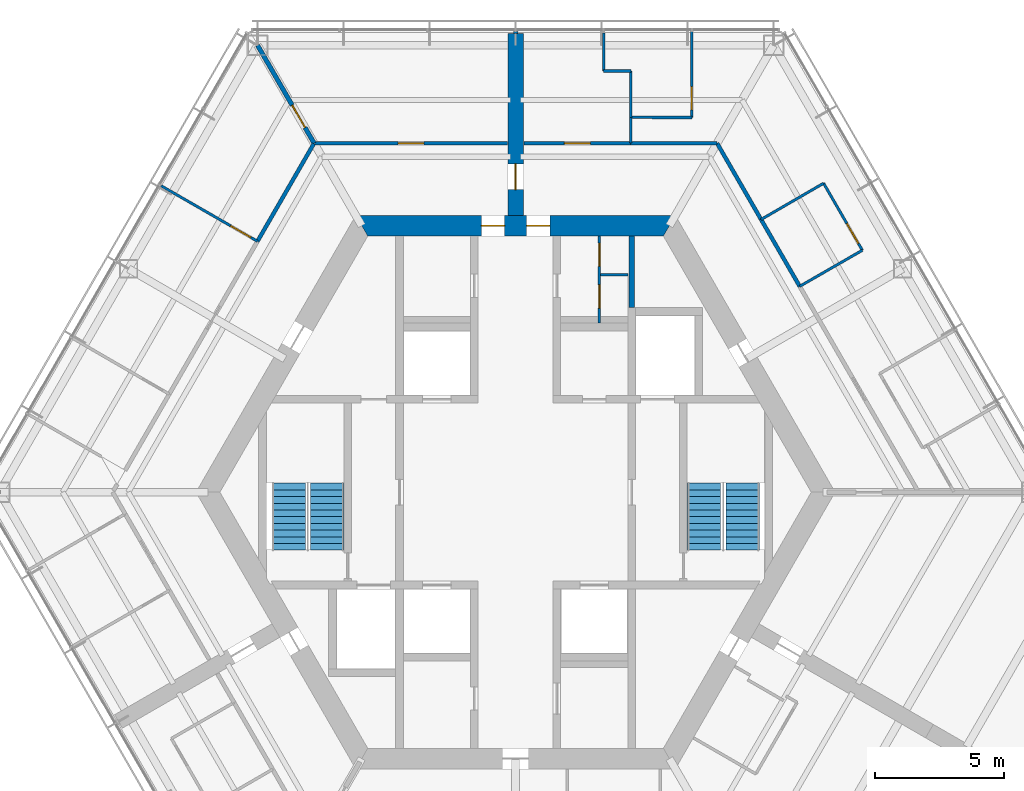
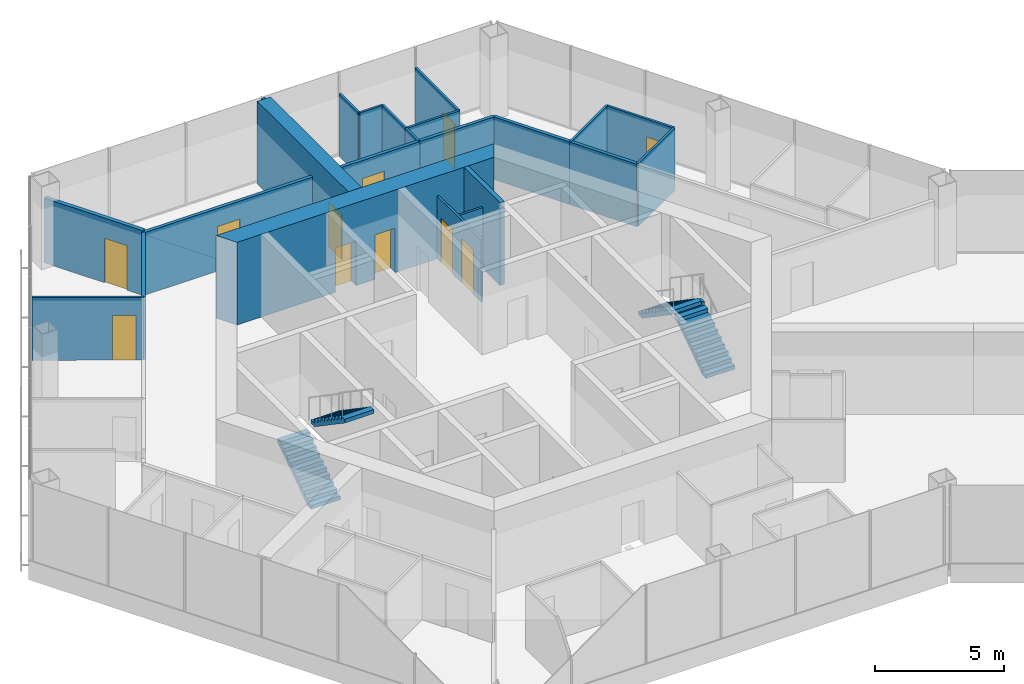
# One storey, part 14 of 17: 23 walls, 11 doors, 4 stair flights, 11 openings, 2 elements without a shape of their own.
"""IFC4 building model written with IfcOpenShell, lengths in metres."""

import ifcopenshell
import ifcopenshell.guid

model = None  # the IFC model being written
_history = None  # IfcOwnerHistory: only IFC2X3 demands one
_inside = {}  # id of a spatial element -> (the spatial element, [elements in it])
_under = {}  # id of a project, library or spatial element -> (it, [spatial elements below it])
_declared = {}  # id of a project -> (the project, [libraries it declares])
_typed = {}  # id of a type object -> (the type object, [elements of that type])
_made_of = {}  # id of a material, layer set ... -> (it, [elements and type objects made of it])


def new_model(schema):
    """Start an empty IFC model of exactly this schema.

    Asked for "IFC4X3", IfcOpenShell would pick the latest addendum, in which some entities
    have other attributes; the version numbers below select the first issue.
    IFC2X3 requires an IfcOwnerHistory on every rooted entity: one is made here for all.
    """
    global model, _history
    if schema == "IFC4X3":
        model = ifcopenshell.file(schema_version=(4, 3, 0, 0))
    else:
        model = ifcopenshell.file(schema=schema)
    _inside.clear()
    _under.clear()
    _declared.clear()
    _typed.clear()
    _made_of.clear()
    _history = None
    if model.schema == "IFC2X3":
        org = make("IfcOrganization", Name="unknown")
        user = make(
            "IfcPersonAndOrganization",
            ThePerson=make("IfcPerson", FamilyName="unknown"),
            TheOrganization=org,
        )
        app = make(
            "IfcApplication",
            ApplicationDeveloper=org,
            Version="unknown",
            ApplicationFullName="unknown",
            ApplicationIdentifier="unknown",
        )
        _history = make(
            "IfcOwnerHistory",
            OwningUser=user,
            OwningApplication=app,
            ChangeAction="ADDED",
            CreationDate=0,
        )
    return model


def make(cls, **values):
    """One entity of the class cls with the attributes given. An attribute that is None is left unset."""
    return model.create_entity(
        cls, **{name: value for name, value in values.items() if value is not None}
    )


def rooted(cls, **values):
    """An entity with a GlobalId (a new one), such as an element, a storey or a relation."""
    return make(cls, GlobalId=ifcopenshell.guid.new(), OwnerHistory=_history, **values)


def si_unit(unit_type, name, prefix=None):
    """IfcSIUnit, for example si_unit("LENGTHUNIT", "METRE", prefix="MILLI")."""
    return make("IfcSIUnit", UnitType=unit_type, Prefix=prefix, Name=name)


def assignment(units):
    """IfcUnitAssignment: the units of a project."""
    return None if units is None else make("IfcUnitAssignment", Units=units)


def point(xyz):
    """IfcCartesianPoint."""
    return None if xyz is None else make("IfcCartesianPoint", Coordinates=xyz)


def direction(xyz):
    """IfcDirection."""
    return None if xyz is None else make("IfcDirection", DirectionRatios=xyz)


def frame(location, z_axis=None, x_axis=None):
    """IfcAxis2Placement3D, a coordinate frame: its origin and axes. An axis left out is left unset."""
    return make(
        "IfcAxis2Placement3D",
        Location=point(location),
        Axis=direction(z_axis),
        RefDirection=direction(x_axis),
    )


def frame_2d(location, x_axis=None):
    """IfcAxis2Placement2D, a coordinate frame in the plane: its origin and x axis."""
    return make(
        "IfcAxis2Placement2D", Location=point(location), RefDirection=direction(x_axis)
    )


def origin():
    """The frame at (0, 0, 0) with its axes left unset."""
    return frame((0.0, 0.0, 0.0))


def place(relative_to, where):
    """IfcLocalPlacement: puts the frame where relative to a parent placement (None: the world)."""
    return make(
        "IfcLocalPlacement", PlacementRelTo=relative_to, RelativePlacement=where
    )


def context(
    kind, dimensions, precision=None, world=None, true_north=None, identifier=None
):
    """IfcGeometricRepresentationContext, for example the 3D "Model" context."""
    return make(
        "IfcGeometricRepresentationContext",
        ContextIdentifier=identifier,
        ContextType=kind,
        CoordinateSpaceDimension=dimensions,
        Precision=precision,
        WorldCoordinateSystem=world,
        TrueNorth=true_north,
    )


def subcontext(parent, identifier, kind, view, scale=None):
    """IfcGeometricRepresentationSubContext, for example "Body" below "Model"."""
    return make(
        "IfcGeometricRepresentationSubContext",
        ContextIdentifier=identifier,
        ContextType=kind,
        ParentContext=parent,
        TargetScale=scale,
        TargetView=view,
    )


def project(units=None, contexts=None):
    """IfcProject with its units and contexts."""
    return rooted(
        "IfcProject",
        Name="project",
        RepresentationContexts=contexts,
        UnitsInContext=assignment(units),
    )


def spatial(cls, under=None, at=None, **own):
    """A site, building, storey or space (cls), placed at a placement, below another one or the project."""
    s = rooted(cls, ObjectPlacement=at, **own)
    if under is not None:
        _under.setdefault(under.id(), (under, []))[1].append(s)
    return s


def polyline(points):
    """IfcPolyline through the points."""
    return make("IfcPolyline", Points=[point(p) for p in points])


def profile(cls, at=None, kind="AREA", **sizes):
    """A parametric profile (cls). Its sizes go by their IFC names, for example OverallWidth=200.0."""
    return make(cls, ProfileType=kind, Position=at, **sizes)


def rectangle(**sizes):
    """IfcRectangleProfileDef."""
    return profile("IfcRectangleProfileDef", **sizes)


def outline(outer, holes=None, kind="AREA"):
    """IfcArbitraryClosedProfileDef: a profile drawn as a closed curve; with holes, ...WithVoids."""
    if holes is None:
        return make("IfcArbitraryClosedProfileDef", ProfileType=kind, OuterCurve=outer)
    return make(
        "IfcArbitraryProfileDefWithVoids",
        ProfileType=kind,
        OuterCurve=outer,
        InnerCurves=holes,
    )


def extrude(swept, where, along, depth):
    """IfcExtrudedAreaSolid: the profile swept, set in the frame where, extruded along a direction by depth."""
    return make(
        "IfcExtrudedAreaSolid",
        SweptArea=swept,
        Position=where,
        ExtrudedDirection=direction(along),
        Depth=depth,
    )


def shape(context_of_items, identifier, shape_type, items):
    """IfcShapeRepresentation: the items that make up one representation, for example the "Body"."""
    return make(
        "IfcShapeRepresentation",
        ContextOfItems=context_of_items,
        RepresentationIdentifier=identifier,
        RepresentationType=shape_type,
        Items=items,
    )


def material(Name=None, Category=None):
    """IfcMaterial."""
    return make("IfcMaterial", Name=Name, Category=Category)


def layer(
    of_material, thickness, ventilated=None, Name=None, Category=None, Priority=None
):
    """IfcMaterialLayer: one layer of a wall or slab, of a material (None: an air gap)."""
    return make(
        "IfcMaterialLayer",
        Material=of_material,
        LayerThickness=thickness,
        IsVentilated=ventilated,
        Name=Name,
        Category=Category,
        Priority=Priority,
    )


def layer_set(layers, Name=None):
    """IfcMaterialLayerSet."""
    return make("IfcMaterialLayerSet", MaterialLayers=layers, LayerSetName=Name)


def made_of(thing, what):
    """Note that an element or type object is made of a material, layer set ...; save() writes the relation."""
    if what is not None:
        _made_of.setdefault(what.id(), (what, []))[1].append(thing)
    return thing


def type_object(cls, material=None, **own):
    """A type object (cls), such as IfcWallType, which elements share."""
    return made_of(rooted(cls, **own), material)


def element(
    cls,
    number,
    at=None,
    inside=None,
    cuts=None,
    type_object=None,
    material=None,
    context=None,
    identifier="Body",
    shape_type=None,
    held_by="IfcProductDefinitionShape",
    body=None,
    shapes=None,
    **own,
):
    """One element of the class cls, such as IfcWall. Its Tag is "e" and its number.

    at: its placement. inside: the storey or other place that contains it. cuts: it is an
    opening in that element (IfcRelVoidsElement). A single representation is given by context,
    identifier, shape_type and body (its items); several are given by shapes. held_by: the class
    of the entity that holds the representations. save() writes the other relations.
    """
    e = rooted(cls, Tag="e%d" % number, ObjectPlacement=at, **own)
    if body is not None:
        shapes = [shape(context, identifier, shape_type, body)]
    if shapes is not None:
        e.Representation = make(held_by, Representations=shapes)
    if inside is not None:
        _inside.setdefault(inside.id(), (inside, []))[1].append(e)
    if cuts is not None:
        rooted(
            "IfcRelVoidsElement", RelatingBuildingElement=cuts, RelatedOpeningElement=e
        )
    if type_object is not None:
        _typed.setdefault(type_object.id(), (type_object, []))[1].append(e)
    return made_of(e, material)


def fill(opening, filler):
    """IfcRelFillsElement: the door or window that sits in an opening."""
    return rooted(
        "IfcRelFillsElement",
        RelatingOpeningElement=opening,
        RelatedBuildingElement=filler,
    )


def aggregate(whole, parts):
    """IfcRelAggregates: a whole, such as a stair, and the parts it consists of."""
    return rooted("IfcRelAggregates", RelatingObject=whole, RelatedObjects=parts)


def save(model, path):
    """Write the relations noted so far, then the file.

    IfcRelAggregates (storeys below a building ...), IfcRelContainedInSpatialStructure (elements
    in a storey), IfcRelDefinesByType, IfcRelAssociatesMaterial and IfcRelDeclares: one each for
    every whole, place, type object, material and project.
    """
    for whole, parts in _under.values():
        aggregate(whole, parts)
    for where, things in _inside.values():
        rooted(
            "IfcRelContainedInSpatialStructure",
            RelatedElements=things,
            RelatingStructure=where,
        )
    for kind, things in _typed.values():
        rooted("IfcRelDefinesByType", RelatedObjects=things, RelatingType=kind)
    for what, things in _made_of.values():
        rooted("IfcRelAssociatesMaterial", RelatedObjects=things, RelatingMaterial=what)
    for by, libraries in _declared.values():
        rooted("IfcRelDeclares", RelatingContext=by, RelatedDefinitions=libraries)
    model.write(path)


model = new_model("IFC4")

# Units and contexts
model_context = context("Model", 3, precision=1e-05, world=origin(), true_north=direction((0.0, 1.0)))
body_context = subcontext(model_context, "Body", "Model", "MODEL_VIEW")
ifc_project = project(units=[si_unit("LENGTHUNIT", "METRE"), si_unit("AREAUNIT", "SQUARE_METRE"), si_unit("VOLUMEUNIT", "CUBIC_METRE"), si_unit("PLANEANGLEUNIT", "RADIAN"), si_unit("MASSUNIT", "GRAM", prefix="KILO")], contexts=[model_context])

# Site, building, storey
site_placement = place(None, origin())
site = spatial("IfcSite", under=ifc_project, at=site_placement, CompositionType="ELEMENT")
building_placement = place(site_placement, origin())
building = spatial("IfcBuilding", under=site, at=building_placement, Name="Kasaneha Research Tower", CompositionType="ELEMENT")
storey_placement = place(building_placement, frame((0.0, 0.0, 224.5)))
storey = spatial("IfcBuildingStorey", under=building, at=storey_placement, Name="L56", CompositionType="ELEMENT", Elevation=224.5)

# Wall, openings, doors
ifc_material_1 = material(Name="Concrete Fc60", Category="concrete")
ifc_layer_1 = layer(ifc_material_1, 0.800048828125)
ifc_layer_set_1 = layer_set([ifc_layer_1], Name="Core wall 800 Fc60")
wall_type_1 = type_object("IfcWallType", Name="Core wall 800 Fc60", PredefinedType="SHEAR", material=ifc_layer_set_1)
wall_1_placement = place(storey_placement, frame((5.961181640625, 10.324951171875, 0.0), z_axis=(0.0, 0.0, 1.0), x_axis=(-1.0, 0.0, 0.0)))
wall_1 = element("IfcWall", 1, at=wall_1_placement, inside=storey, type_object=wall_type_1, Name="Core wall 090 L56", PredefinedType="SHEAR", context=body_context, shape_type="SweptSolid", body=[
    extrude(outline(polyline([(-0.23095703125, -0.39990234375), (4.63623046875, -0.39990234375), (5.5361328125, -0.39990234375), (6.38623046875, -0.39990234375), (7.2861328125, -0.39990234375), (12.1533203125, -0.39990234375), (11.69140625, 0.39990234375), (7.2861328125, 0.39990234375), (6.38623046875, 0.39990234375), (5.5361328125, 0.39990234375), (4.63623046875, 0.39990234375), (0.23095703125, 0.39990234375), (-0.23095703125, -0.39990234375)])), origin(), (0.0, 0.0, 1.0), 3.89990234375),
])
opening_1_placement = place(wall_1_placement, frame((6.38623046875, 0.0, 0.0)))
opening_1 = element("IfcOpeningElement", 2, at=opening_1_placement, cuts=wall_1, Name="Opening L56-D01", PredefinedType="OPENING", context=body_context, shape_type="SweptSolid", body=[
    extrude(rectangle(XDim=0.89990234375, YDim=2.10009765625, at=frame_2d((0.449951171875, 1.050048828125))), frame((0.0, 0.41015625, 0.0), z_axis=(0.0, -1.0, 0.0), x_axis=(1.0, 0.0, 0.0)), (0.0, 0.0, 1.0), 0.820068359375),
])
opening_2_placement = place(wall_1_placement, frame((4.63623046875, 0.0, 0.0)))
opening_2 = element("IfcOpeningElement", 3, at=opening_2_placement, cuts=wall_1, Name="Opening L56-D02", PredefinedType="OPENING", context=body_context, shape_type="SweptSolid", body=[
    extrude(rectangle(XDim=0.89990234375, YDim=2.10009765625, at=frame_2d((0.449951171875, 1.050048828125))), frame((0.0, 0.41015625, 0.0), z_axis=(0.0, -1.0, 0.0), x_axis=(1.0, 0.0, 0.0)), (0.0, 0.0, 1.0), 0.820068359375),
])
ifc_material_2 = material(Name="Steel", Category="steel")
door_type_1 = type_object("IfcDoorType", Name="Toilet door FD20 900x2100", OperationType="NOTDEFINED", PredefinedType="DOOR", material=ifc_material_2)
door_1_placement = place(opening_1_placement, origin())
door_1 = element("IfcDoor", 4, at=door_1_placement, inside=storey, type_object=door_type_1, Name="Core door north 1 L56-D01", OperationType="SINGLE_SWING_RIGHT", OverallHeight=2.10009765625, OverallWidth=0.89990234375, PredefinedType="DOOR", context=body_context, shape_type="SweptSolid", body=[
    extrude(rectangle(XDim=0.89990234375, YDim=2.10009765625, at=frame_2d((0.449951171875, 1.050048828125))), frame((0.0, 0.02490234375, 0.0), z_axis=(0.0, -1.0, 0.0), x_axis=(1.0, 0.0, 0.0)), (0.0, 0.0, 1.0), 0.050048828125),
])
fill(opening_1, door_1)
door_2_placement = place(opening_2_placement, origin())
door_2 = element("IfcDoor", 5, at=door_2_placement, inside=storey, type_object=door_type_1, Name="Core door north 2 L56-D02", OperationType="SINGLE_SWING_LEFT", OverallHeight=2.10009765625, OverallWidth=0.89990234375, PredefinedType="DOOR", context=body_context, shape_type="SweptSolid", body=[
    extrude(rectangle(XDim=0.89990234375, YDim=2.10009765625, at=frame_2d((0.449951171875, 1.050048828125))), frame((0.0, 0.02490234375, 0.0), z_axis=(0.0, -1.0, 0.0), x_axis=(1.0, 0.0, 0.0)), (0.0, 0.0, 1.0), 0.050048828125),
])
fill(opening_2, door_2)

ifc_material_3 = material(Name="Gypsum board on steel studs, one layer each side", Category="steel")
ifc_layer_2 = layer(ifc_material_3, 0.10009765625)
ifc_layer_set_2 = layer_set([ifc_layer_2], Name="Office partition 100")
wall_type_2 = type_object("IfcWallType", Name="Office partition 100", PredefinedType="PARTITIONING", material=ifc_layer_set_2)
wall_2_placement = place(storey_placement, frame((3.25, 6.550048828125, 0.0), z_axis=(0.0, 0.0, 1.0), x_axis=(0.0, 1.0, 0.0)))
wall_2 = element("IfcWall", 6, at=wall_2_placement, inside=storey, type_object=wall_type_2, Name="Office partition TBF1 L56", PredefinedType="PARTITIONING", context=body_context, shape_type="SweptSolid", body=[
    extrude(rectangle(XDim=3.375, YDim=0.10009765625, at=frame_2d((1.6875, 0.0))), origin(), (0.0, 0.0, 1.0), 2.949951171875),
])
opening_3_placement = place(wall_2_placement, frame((0.58740234375, 0.0, 0.0)))
opening_3 = element("IfcOpeningElement", 7, at=opening_3_placement, cuts=wall_2, Name="Opening L56-D21", PredefinedType="OPENING", context=body_context, shape_type="SweptSolid", body=[
    extrude(rectangle(XDim=0.89990234375, YDim=2.10009765625, at=frame_2d((0.449951171875, 1.050048828125))), frame((0.0, 0.06005859375, 0.0), z_axis=(0.0, -1.0, 0.0), x_axis=(1.0, 0.0, 0.0)), (0.0, 0.0, 1.0), 0.1201171875),
])
opening_4_placement = place(wall_2_placement, frame((2.199951171875, 0.0, 0.0)))
opening_4 = element("IfcOpeningElement", 8, at=opening_4_placement, cuts=wall_2, Name="Opening L56-D22", PredefinedType="OPENING", context=body_context, shape_type="SweptSolid", body=[
    extrude(rectangle(XDim=0.89990234375, YDim=2.10009765625, at=frame_2d((0.449951171875, 1.050048828125))), frame((0.0, 0.06005859375, 0.0), z_axis=(0.0, -1.0, 0.0), x_axis=(1.0, 0.0, 0.0)), (0.0, 0.0, 1.0), 0.1201171875),
])
ifc_material_4 = material(Name="Steel", Category="steel")
door_type_2 = type_object("IfcDoorType", Name="Toilet lobby door FD30 900x2100", OperationType="NOTDEFINED", PredefinedType="DOOR", material=ifc_material_4)
door_3_placement = place(opening_3_placement, origin())
door_3 = element("IfcDoor", 9, at=door_3_placement, inside=storey, type_object=door_type_2, Name="Women's WC door L56-D21", OperationType="SINGLE_SWING_RIGHT", OverallHeight=2.10009765625, OverallWidth=0.89990234375, PredefinedType="DOOR", context=body_context, shape_type="SweptSolid", body=[
    extrude(rectangle(XDim=0.89990234375, YDim=2.10009765625, at=frame_2d((0.449951171875, 1.050048828125))), frame((0.0, 0.02490234375, 0.0), z_axis=(0.0, -1.0, 0.0), x_axis=(1.0, 0.0, 0.0)), (0.0, 0.0, 1.0), 0.050048828125),
])
fill(opening_3, door_3)
door_4_placement = place(opening_4_placement, origin())
door_4 = element("IfcDoor", 10, at=door_4_placement, inside=storey, type_object=door_type_2, Name="Cleaner's store door L56-D22", OperationType="SINGLE_SWING_RIGHT", OverallHeight=2.10009765625, OverallWidth=0.89990234375, PredefinedType="DOOR", context=body_context, shape_type="SweptSolid", body=[
    extrude(rectangle(XDim=0.89990234375, YDim=2.10009765625, at=frame_2d((0.449951171875, 1.050048828125))), frame((0.0, 0.02490234375, 0.0), z_axis=(0.0, -1.0, 0.0), x_axis=(1.0, 0.0, 0.0)), (0.0, 0.0, 1.0), 0.050048828125),
])
fill(opening_4, door_4)

# Walls
for number, where, z_axis, x_axis, name in (
    (11, (3.300048828125, 8.425048828125, 0.0), (0.0, 0.0, 1.0), (1.0, 0.0, 0.0), "Office partition TBF2 L56"),
    (12, (3.4150390625, 16.324951171875, 0.0), (0.0, 0.0, 1.0), (1.0, 0.0, 0.0), "Office partition FAE06 L56"),
):
    element("IfcWall", number, at=place(storey_placement, frame(where, z_axis=z_axis, x_axis=x_axis)), inside=storey, type_object=wall_type_2, Name=name, PredefinedType="PARTITIONING", context=body_context, shape_type="SweptSolid", body=[
        extrude(rectangle(XDim=1.050048828125, YDim=0.10009765625, at=frame_2d((0.52490234375, 0.0))), origin(), (0.0, 0.0, 1.0), 2.949951171875),
    ])
wall_3_placement = place(storey_placement, frame((3.4150390625, 17.800537109375, 0.0), z_axis=(0.0, 0.0, 1.0), x_axis=(0.0, -1.0, 0.0)))
element("IfcWall", 13, at=wall_3_placement, inside=storey, type_object=wall_type_2, Name="Office partition FAE07 L56", PredefinedType="PARTITIONING", context=body_context, shape_type="SweptSolid", body=[
    extrude(rectangle(XDim=1.4755859375, YDim=0.10009765625, at=frame_2d((0.73779296875, 0.0))), origin(), (0.0, 0.0, 1.0), 2.949951171875),
])
wall_4_placement = place(storey_placement, frame((4.465087890625, 16.324951171875, 0.0), z_axis=(0.0, 0.0, 1.0), x_axis=(0.0, -1.0, 0.0)))
element("IfcWall", 14, at=wall_4_placement, inside=storey, type_object=wall_type_2, Name="Office partition FAE08 L56", PredefinedType="PARTITIONING", context=body_context, shape_type="SweptSolid", body=[
    extrude(rectangle(XDim=1.8095703125, YDim=0.10009765625, at=frame_2d((0.90478515625, 0.0))), origin(), (0.0, 0.0, 1.0), 2.949951171875),
])
wall_5_placement = place(storey_placement, frame((4.465087890625, 14.52490234375, 0.0), z_axis=(0.0, 0.0, 1.0), x_axis=(-0.00463862197, -0.999989241535, 0.0)))
element("IfcWall", 15, at=wall_5_placement, inside=storey, type_object=wall_type_2, Name="Office partition FAE09 L56", PredefinedType="PARTITIONING", context=body_context, shape_type="SweptSolid", body=[
    extrude(rectangle(XDim=1.0, YDim=0.10009765625, at=frame_2d((0.5, 0.0))), origin(), (0.0, 0.0, 1.0), 2.949951171875),
])
wall_6_placement = place(storey_placement, frame((9.51513671875, 10.569091796875, 0.0), z_axis=(0.0, 0.0, 1.0), x_axis=(0.865255114713, 0.501331812737, 0.0)))
element("IfcWall", 16, at=wall_6_placement, inside=storey, type_object=wall_type_2, Name="Office partition FAE10 L56", PredefinedType="PARTITIONING", context=body_context, shape_type="SweptSolid", body=[
    extrude(rectangle(XDim=2.800048828125, YDim=0.10009765625, at=frame_2d((1.39990234375, 0.0))), origin(), (0.0, 0.0, 1.0), 2.949951171875),
])

# Wall, opening, door
wall_7_placement = place(storey_placement, frame((11.93798828125, 11.972900390625, 0.0), z_axis=(0.0, 0.0, 1.0), x_axis=(0.50002537861, -0.866010750942, 0.0)))
wall_7 = element("IfcWall", 17, at=wall_7_placement, inside=storey, type_object=wall_type_2, Name="Office partition FAE11 L56", PredefinedType="PARTITIONING", context=body_context, shape_type="SweptSolid", body=[
    extrude(rectangle(XDim=2.999755859375, YDim=0.10009765625, at=frame_2d((1.5, 0.0))), origin(), (0.0, 0.0, 1.0), 2.949951171875),
])
opening_5_placement = place(wall_7_placement, frame((1.800048828125, 0.0, 0.0)))
opening_5 = element("IfcOpeningElement", 18, at=opening_5_placement, cuts=wall_7, Name="Opening L56-D28", PredefinedType="OPENING", context=body_context, shape_type="SweptSolid", body=[
    extrude(rectangle(XDim=0.89990234375, YDim=2.10009765625, at=frame_2d((0.449951171875, 1.050048828125))), frame((0.0, 0.06005859375, 0.0), z_axis=(0.0, -1.0, 0.0), x_axis=(1.0, 0.0, 0.0)), (0.0, 0.0, 1.0), 0.1201171875),
])
ifc_material_5 = material(Name="Timber veneer", Category="wood")
door_type_3 = type_object("IfcDoorType", Name="Office door 900x2100", OperationType="SINGLE_SWING_LEFT", PredefinedType="DOOR", material=ifc_material_5)
door_5_placement = place(opening_5_placement, origin())
door_5 = element("IfcDoor", 19, at=door_5_placement, inside=storey, type_object=door_type_3, Name="Pantry door L56-D28", OperationType="SINGLE_SWING_RIGHT", OverallHeight=2.10009765625, OverallWidth=0.89990234375, PredefinedType="DOOR", context=body_context, shape_type="SweptSolid", body=[
    extrude(rectangle(XDim=0.89990234375, YDim=2.10009765625, at=frame_2d((0.449951171875, 1.050048828125))), frame((0.0, 0.02490234375, 0.0), z_axis=(0.0, -1.0, 0.0), x_axis=(1.0, 0.0, 0.0)), (0.0, 0.0, 1.0), 0.050048828125),
])
fill(opening_5, door_5)

# Walls
wall_8_placement = place(storey_placement, frame((13.43798828125, 9.375, 0.0), z_axis=(0.0, 0.0, 1.0), x_axis=(-0.866817750494, -0.498625097071, 0.0)))
element("IfcWall", 20, at=wall_8_placement, inside=storey, type_object=wall_type_2, Name="Office partition FAE12 L56", PredefinedType="PARTITIONING", context=body_context, shape_type="SweptSolid", body=[
    extrude(rectangle(XDim=2.80029296875, YDim=0.10009765625, at=frame_2d((1.400146484375, 0.0))), origin(), (0.0, 0.0, 1.0), 2.949951171875),
])
wall_9_placement = place(storey_placement, frame((6.830810546875, 14.5205078125, 0.0), z_axis=(0.0, 0.0, 1.0), x_axis=(-0.999998274693, 0.001857581934, 0.0)))
element("IfcWall", 21, at=wall_9_placement, inside=storey, type_object=wall_type_2, Name="Office partition FAE16 L56", PredefinedType="PARTITIONING", context=body_context, shape_type="SweptSolid", body=[
    extrude(rectangle(XDim=2.36572265625, YDim=0.10009765625, at=frame_2d((1.182861328125, 0.0))), origin(), (0.0, 0.0, 1.0), 2.949951171875),
])

# Wall, opening, door
wall_10_placement = place(storey_placement, frame((6.830810546875, 17.85546875, 0.0), z_axis=(0.0, 0.0, 1.0), x_axis=(0.0, -1.0, 0.0)))
wall_10 = element("IfcWall", 22, at=wall_10_placement, inside=storey, type_object=wall_type_2, Name="Office partition FAE17 L56", PredefinedType="PARTITIONING", context=body_context, shape_type="SweptSolid", body=[
    extrude(rectangle(XDim=3.3349609375, YDim=0.10009765625, at=frame_2d((1.66748046875, 0.0))), origin(), (0.0, 0.0, 1.0), 2.949951171875),
])
opening_6_placement = place(wall_10_placement, frame((2.135009765625, 0.0, 0.0)))
opening_6 = element("IfcOpeningElement", 23, at=opening_6_placement, cuts=wall_10, Name="Opening L56-D30", PredefinedType="OPENING", context=body_context, shape_type="SweptSolid", body=[
    extrude(rectangle(XDim=0.89990234375, YDim=2.10009765625, at=frame_2d((0.449951171875, 1.050048828125))), frame((0.0, 0.06005859375, 0.0), z_axis=(0.0, -1.0, 0.0), x_axis=(1.0, 0.0, 0.0)), (0.0, 0.0, 1.0), 0.1201171875),
])
door_6_placement = place(opening_6_placement, origin())
door_6 = element("IfcDoor", 24, at=door_6_placement, inside=storey, type_object=door_type_3, Name="Manager's office door L56-D30", OperationType="SINGLE_SWING_RIGHT", OverallHeight=2.10009765625, OverallWidth=0.89990234375, PredefinedType="DOOR", context=body_context, shape_type="SweptSolid", body=[
    extrude(rectangle(XDim=0.89990234375, YDim=2.10009765625, at=frame_2d((0.449951171875, 1.050048828125))), frame((0.0, 0.02490234375, 0.0), z_axis=(0.0, -1.0, 0.0), x_axis=(1.0, 0.0, 0.0)), (0.0, 0.0, 1.0), 0.050048828125),
])
fill(opening_6, door_6)

wall_11_placement = place(storey_placement, frame((-10.0029296875, 9.724365234375, 0.0), z_axis=(0.0, 0.0, 1.0), x_axis=(-0.866566724083, 0.499061231426, 0.0)))
wall_11 = element("IfcWall", 25, at=wall_11_placement, inside=storey, type_object=wall_type_2, Name="Office partition FBN10 L56", PredefinedType="PARTITIONING", context=body_context, shape_type="SweptSolid", body=[
    extrude(rectangle(XDim=4.305419921875, YDim=0.10009765625, at=frame_2d((2.15283203125, 0.0))), origin(), (0.0, 0.0, 1.0), 2.949951171875),
])
opening_7_placement = place(wall_11_placement, frame((0.300048828125, 0.0, 0.0)))
opening_7 = element("IfcOpeningElement", 26, at=opening_7_placement, cuts=wall_11, Name="Opening L56-D36", PredefinedType="OPENING", context=body_context, shape_type="SweptSolid", body=[
    extrude(rectangle(XDim=0.89990234375, YDim=2.10009765625, at=frame_2d((0.449951171875, 1.050048828125))), frame((0.0, 0.06005859375, 0.0), z_axis=(0.0, -1.0, 0.0), x_axis=(1.0, 0.0, 0.0)), (0.0, 0.0, 1.0), 0.1201171875),
])
door_7_placement = place(opening_7_placement, origin())
door_7 = element("IfcDoor", 27, at=door_7_placement, inside=storey, type_object=door_type_3, Name="Reception room door L56-D36", OperationType="SINGLE_SWING_LEFT", OverallHeight=2.10009765625, OverallWidth=0.89990234375, PredefinedType="DOOR", context=body_context, shape_type="SweptSolid", body=[
    extrude(rectangle(XDim=0.89990234375, YDim=2.10009765625, at=frame_2d((0.449951171875, 1.050048828125))), frame((0.0, 0.02490234375, 0.0), z_axis=(0.0, -1.0, 0.0), x_axis=(1.0, 0.0, 0.0)), (0.0, 0.0, 1.0), 0.050048828125),
])
fill(opening_7, door_7)

# Wall
ifc_material_6 = material(Name="Concrete block", Category="concrete")
ifc_layer_3 = layer(ifc_material_6, 0.199951171875)
ifc_layer_set_3 = layer_set([ifc_layer_3], Name="Riser enclosure wall 200")
wall_type_3 = type_object("IfcWallType", Name="Riser enclosure wall 200", PredefinedType="STANDARD", material=ifc_layer_set_3)
wall_12_placement = place(storey_placement, frame((4.5, 7.14990234375, 0.0), z_axis=(0.0, 0.0, 1.0), x_axis=(0.0, 1.0, 0.0)))
element("IfcWall", 28, at=wall_12_placement, inside=storey, type_object=wall_type_3, Name="Riser enclosure wall L56", PredefinedType="STANDARD", context=body_context, shape_type="SweptSolid", body=[
    extrude(rectangle(XDim=2.775146484375, YDim=0.199951171875, at=frame_2d((1.3876953125, 0.0))), origin(), (0.0, 0.0, 1.0), 3.89990234375),
])

# Wall, opening, door
ifc_material_7 = material(Name="Concrete Fc60", Category="concrete")
ifc_layer_4 = layer(ifc_material_7, 0.60009765625)
ifc_layer_set_4 = layer_set([ifc_layer_4], Name="Spine wall 600 Fc60")
wall_type_4 = type_object("IfcWallType", Name="Spine wall 600 Fc60", PredefinedType="SHEAR", material=ifc_layer_set_4)
wall_13_placement = place(storey_placement, frame((0.0, 10.72509765625, 0.0), z_axis=(0.0, 0.0, 1.0), x_axis=(0.0, 1.0, 0.0)))
wall_13 = element("IfcWall", 29, at=wall_13_placement, inside=storey, type_object=wall_type_4, Name="Spine wall A L56", PredefinedType="SHEAR", context=body_context, shape_type="SweptSolid", body=[
    extrude(rectangle(XDim=7.04541015625, YDim=0.60009765625, at=frame_2d((3.522705078125, 0.0))), origin(), (0.0, 0.0, 1.0), 3.89990234375),
])
opening_8_placement = place(wall_13_placement, frame((1.0, 0.0, 0.0)))
opening_8 = element("IfcOpeningElement", 30, at=opening_8_placement, cuts=wall_13, Name="Opening L56-D18", PredefinedType="OPENING", context=body_context, shape_type="SweptSolid", body=[
    extrude(rectangle(XDim=1.0, YDim=2.10009765625, at=frame_2d((0.5, 1.050048828125))), frame((0.0, 0.31005859375, 0.0), z_axis=(0.0, -1.0, 0.0), x_axis=(1.0, 0.0, 0.0)), (0.0, 0.0, 1.0), 0.6201171875),
])
ifc_material_8 = material(Name="Steel", Category="steel")
door_type_4 = type_object("IfcDoorType", Name="Specified fire door FD60 1000x2100", OperationType="NOTDEFINED", PredefinedType="DOOR", material=ifc_material_8)
door_8_placement = place(opening_8_placement, origin())
door_8 = element("IfcDoor", 31, at=door_8_placement, inside=storey, type_object=door_type_4, Name="Spine doorway A L56-D18", OperationType="SINGLE_SWING_LEFT", OverallHeight=2.10009765625, OverallWidth=1.0, PredefinedType="DOOR", context=body_context, shape_type="SweptSolid", body=[
    extrude(rectangle(XDim=1.0, YDim=2.10009765625, at=frame_2d((0.5, 1.050048828125))), frame((0.0, 0.02490234375, 0.0), z_axis=(0.0, -1.0, 0.0), x_axis=(1.0, 0.0, 0.0)), (0.0, 0.0, 1.0), 0.050048828125),
])
fill(opening_8, door_8)

ifc_material_9 = material(Name="Gypsum board on steel studs, two layers each side", Category="steel")
ifc_layer_5 = layer(ifc_material_9, 0.14990234375)
ifc_layer_set_5 = layer_set([ifc_layer_5], Name="Suite partition 150")
wall_type_5 = type_object("IfcWallType", Name="Suite partition 150", PredefinedType="PARTITIONING", material=ifc_layer_set_5)
wall_14_placement = place(storey_placement, frame((0.320068359375, 13.52490234375, 0.0), z_axis=(0.0, 0.0, 1.0), x_axis=(1.0, 0.0, 0.0)))
wall_14 = element("IfcWall", 32, at=wall_14_placement, inside=storey, type_object=wall_type_5, Name="Suite partition FAE01 L56", PredefinedType="PARTITIONING", context=body_context, shape_type="SweptSolid", body=[
    extrude(rectangle(XDim=4.14990234375, YDim=0.14990234375, at=frame_2d((2.074951171875, 0.0))), origin(), (0.0, 0.0, 1.0), 2.949951171875),
])
opening_9_placement = place(wall_14_placement, frame((1.574951171875, 0.0, 0.0)))
opening_9 = element("IfcOpeningElement", 33, at=opening_9_placement, cuts=wall_14, Name="Opening L56-D26", PredefinedType="OPENING", context=body_context, shape_type="SweptSolid", body=[
    extrude(rectangle(XDim=1.0, YDim=2.10009765625, at=frame_2d((0.5, 1.050048828125))), frame((0.0, 0.0849609375, 0.0), z_axis=(0.0, -1.0, 0.0), x_axis=(1.0, 0.0, 0.0)), (0.0, 0.0, 1.0), 0.169921875),
])
ifc_material_10 = material(Name="Steel", Category="steel")
door_type_5 = type_object("IfcDoorType", Name="Suite entrance door FD60 1000x2100", OperationType="NOTDEFINED", PredefinedType="DOOR", material=ifc_material_10)
door_9_placement = place(opening_9_placement, origin())
door_9 = element("IfcDoor", 34, at=door_9_placement, inside=storey, type_object=door_type_5, Name="Suite entrance door L56-D26", OperationType="SINGLE_SWING_RIGHT", OverallHeight=2.10009765625, OverallWidth=1.0, PredefinedType="DOOR", context=body_context, shape_type="SweptSolid", body=[
    extrude(rectangle(XDim=1.0, YDim=2.10009765625, at=frame_2d((0.5, 1.050048828125))), frame((0.0, 0.02490234375, 0.0), z_axis=(0.0, -1.0, 0.0), x_axis=(1.0, 0.0, 0.0)), (0.0, 0.0, 1.0), 0.050048828125),
])
fill(opening_9, door_9)

# Walls
wall_15_placement = place(storey_placement, frame((9.510498046875, 10.577392578125, 0.0), z_axis=(0.0, 0.0, 1.0), x_axis=(0.499977562641, -0.866038357612, 0.0)))
element("IfcWall", 35, at=wall_15_placement, inside=storey, type_object=wall_type_5, Name="Suite partition FAE02 L56", PredefinedType="PARTITIONING", context=body_context, shape_type="SweptSolid", body=[
    extrude(rectangle(XDim=3.010009765625, YDim=0.14990234375, at=frame_2d((1.5048828125, 0.0))), origin(), (0.0, 0.0, 1.0), 2.949951171875),
])
wall_16_placement = place(storey_placement, frame((4.46044921875, 13.52490234375, 0.0), z_axis=(0.0, 0.0, 1.0), x_axis=(1.0, 0.0, 0.0)))
element("IfcWall", 36, at=wall_16_placement, inside=storey, type_object=wall_type_5, Name="Suite partition FAE03 L56", PredefinedType="PARTITIONING", context=body_context, shape_type="SweptSolid", body=[
    extrude(rectangle(XDim=3.34814453125, YDim=0.14990234375, at=frame_2d((1.674072265625, 0.0))), origin(), (0.0, 0.0, 1.0), 2.949951171875),
])
wall_17_placement = place(storey_placement, frame((7.80859375, 13.52490234375, 0.0), z_axis=(0.0, 0.0, 1.0), x_axis=(0.500001088571, -0.866024775297, 0.0)))
element("IfcWall", 37, at=wall_17_placement, inside=storey, type_object=wall_type_5, Name="Suite partition FAE04 L56", PredefinedType="PARTITIONING", context=body_context, shape_type="SweptSolid", body=[
    extrude(rectangle(XDim=3.4130859375, YDim=0.14990234375, at=frame_2d((1.70654296875, 0.0))), origin(), (0.0, 0.0, 1.0), 2.949951171875),
])

# Wall, opening, door
wall_18_placement = place(storey_placement, frame((-7.78564453125, 13.52490234375, 0.0), z_axis=(0.0, 0.0, 1.0), x_axis=(1.0, 0.0, 0.0)))
wall_18 = element("IfcWall", 38, at=wall_18_placement, inside=storey, type_object=wall_type_5, Name="Suite partition FAW01 L56", PredefinedType="PARTITIONING", context=body_context, shape_type="SweptSolid", body=[
    extrude(rectangle(XDim=7.465576171875, YDim=0.14990234375, at=frame_2d((3.73291015625, 0.0))), origin(), (0.0, 0.0, 1.0), 2.949951171875),
])
opening_10_placement = place(wall_18_placement, frame((3.23291015625, 0.0, 0.0)))
opening_10 = element("IfcOpeningElement", 39, at=opening_10_placement, cuts=wall_18, Name="Opening L56-D32", PredefinedType="OPENING", context=body_context, shape_type="SweptSolid", body=[
    extrude(rectangle(XDim=1.0, YDim=2.10009765625, at=frame_2d((0.5, 1.050048828125))), frame((0.0, 0.0849609375, 0.0), z_axis=(0.0, -1.0, 0.0), x_axis=(1.0, 0.0, 0.0)), (0.0, 0.0, 1.0), 0.169921875),
])
door_10_placement = place(opening_10_placement, origin())
door_10 = element("IfcDoor", 40, at=door_10_placement, inside=storey, type_object=door_type_5, Name="Suite entrance door L56-D32", OperationType="SINGLE_SWING_RIGHT", OverallHeight=2.10009765625, OverallWidth=1.0, PredefinedType="DOOR", context=body_context, shape_type="SweptSolid", body=[
    extrude(rectangle(XDim=1.0, YDim=2.10009765625, at=frame_2d((0.5, 1.050048828125))), frame((0.0, 0.02490234375, 0.0), z_axis=(0.0, -1.0, 0.0), x_axis=(1.0, 0.0, 0.0)), (0.0, 0.0, 1.0), 0.050048828125),
])
fill(opening_10, door_10)

# Wall
wall_19_placement = place(storey_placement, frame((-10.0078125, 9.716064453125, 0.0), z_axis=(0.0, 0.0, 1.0), x_axis=(0.500004234368, 0.866022959057, 0.0)))
element("IfcWall", 41, at=wall_19_placement, inside=storey, type_object=wall_type_5, Name="Suite partition FBN02 L56", PredefinedType="PARTITIONING", context=body_context, shape_type="SweptSolid", body=[
    extrude(rectangle(XDim=4.375, YDim=0.14990234375, at=frame_2d((2.1875, 0.0))), origin(), (0.0, 0.0, 1.0), 2.949951171875),
])

# Wall, opening, door
ifc_material_11 = material(Name="Gypsum board on steel studs, two layers each side", Category="steel")
ifc_layer_6 = layer(ifc_material_11, 0.175048828125)
ifc_layer_set_6 = layer_set([ifc_layer_6], Name="Tenancy fire partition 175")
wall_type_6 = type_object("IfcWallType", Name="Tenancy fire partition 175", PredefinedType="PARTITIONING", material=ifc_layer_set_6)
wall_20_placement = place(storey_placement, frame((-7.80859375, 13.52490234375, 0.0), z_axis=(0.0, 0.0, 1.0), x_axis=(-0.499997299682, 0.866026962808, 0.0)))
wall_20 = element("IfcWall", 42, at=wall_20_placement, inside=storey, type_object=wall_type_6, Name="Tenancy fire partition T120 L56", PredefinedType="PARTITIONING", context=body_context, shape_type="SweptSolid", body=[
    extrude(rectangle(XDim=4.3828125, YDim=0.175048828125, at=frame_2d((2.19140625, 0.0))), origin(), (0.0, 0.0, 1.0), 3.050048828125),
])
opening_11_placement = place(wall_20_placement, frame((0.699951171875, 0.0, 0.0)))
opening_11 = element("IfcOpeningElement", 43, at=opening_11_placement, cuts=wall_20, Name="Opening L56-D24", PredefinedType="OPENING", context=body_context, shape_type="SweptSolid", body=[
    extrude(rectangle(XDim=1.0, YDim=2.10009765625, at=frame_2d((0.5, 1.050048828125))), frame((0.0, 0.09765625, 0.0), z_axis=(0.0, -1.0, 0.0), x_axis=(1.0, 0.0, 0.0)), (0.0, 0.0, 1.0), 0.195068359375),
])
door_11_placement = place(opening_11_placement, origin())
door_11 = element("IfcDoor", 44, at=door_11_placement, inside=storey, type_object=door_type_5, Name="Connecting door L56-D24", OperationType="SINGLE_SWING_LEFT", OverallHeight=2.10009765625, OverallWidth=1.0, PredefinedType="DOOR", context=body_context, shape_type="SweptSolid", body=[
    extrude(rectangle(XDim=1.0, YDim=2.10009765625, at=frame_2d((0.5, 1.050048828125))), frame((0.0, 0.02490234375, 0.0), z_axis=(0.0, -1.0, 0.0), x_axis=(1.0, 0.0, 0.0)), (0.0, 0.0, 1.0), 0.050048828125),
])
fill(opening_11, door_11)

# Wall
wall_21_placement = place(storey_placement, frame((0.0, 17.7705078125, 0.0), z_axis=(0.0, 0.0, 1.0), x_axis=(0.0, 1.0, 0.0)))
element("IfcWall", 45, at=wall_21_placement, inside=storey, type_object=wall_type_6, Name="Spine wall closer SW4-600 L56", PredefinedType="PARTITIONING", context=body_context, shape_type="SweptSolid", body=[
    extrude(rectangle(XDim=0.0849609375, YDim=0.175048828125, at=frame_2d((0.04248046875, 0.0))), origin(), (0.0, 0.0, 1.0), 3.89990234375),
])

# Stair, stair flights
ifc_material_12 = material(Name="Concrete Fc24", Category="concrete")
stair_type = type_object("IfcStairType", Name="Half-turn stair 22 risers", PredefinedType="HALF_TURN_STAIR", material=ifc_material_12)
stair_1_placement = place(storey_placement, origin())
stair_1 = element("IfcStair", 46, at=stair_1_placement, inside=storey, type_object=stair_type, Name="Stair 1 L56", PredefinedType="HALF_TURN_STAIR")
ifc_material_13 = material(Name="Concrete Fc24", Category="concrete")
stair_flight_type = type_object("IfcStairFlightType", Name="Stair flight 11 risers 177.3", PredefinedType="STRAIGHT", material=ifc_material_13)
stair_flight_1_placement = place(storey_placement, frame((8.800048828125, -2.25, 0.0), z_axis=(0.0, 0.0, 1.0), x_axis=(0.0, 1.0, 0.0)))
stair_flight_1 = element("IfcStairFlight", 47, at=stair_flight_1_placement, type_object=stair_flight_type, Name="ST1-22R flight 1", NumberOfRisers=11, NumberOfTreads=10, PredefinedType="STRAIGHT", RiserHeight=0.177272727, TreadLength=0.26, context=body_context, shape_type="SweptSolid", body=[
    extrude(outline(polyline([(0.0, 0.0), (0.0, 0.17724609375), (0.260009765625, 0.17724609375), (0.260009765625, 0.3544921875), (0.52001953125, 0.3544921875), (0.52001953125, 0.53173828125), (0.780029296875, 0.53173828125), (0.780029296875, 0.708984375), (1.0400390625, 0.708984375), (1.0400390625, 0.886474609375), (1.300048828125, 0.886474609375), (1.300048828125, 1.063720703125), (1.56005859375, 1.063720703125), (1.56005859375, 1.240966796875), (1.820068359375, 1.240966796875), (1.820068359375, 1.418212890625), (2.080078125, 1.418212890625), (2.080078125, 1.595458984375), (2.340087890625, 1.595458984375), (2.340087890625, 1.772705078125), (2.60009765625, 1.772705078125), (2.60009765625, 1.949951171875), (2.60009765625, 1.59130859375), (0.26611328125, 0.0), (0.0, 0.0)])), frame((0.0, 0.64990234375, 0.0), z_axis=(0.0, -1.0, 0.0), x_axis=(1.0, 0.0, 0.0)), (0.0, 0.0, 1.0), 1.300048828125),
])
stair_flight_2_placement = place(storey_placement, frame((7.300048828125, 0.35009765625, 1.949951171875), z_axis=(0.0, 0.0, 1.0), x_axis=(0.0, -1.0, 0.0)))
stair_flight_2 = element("IfcStairFlight", 48, at=stair_flight_2_placement, type_object=stair_flight_type, Name="ST1-22R flight 2", NumberOfRisers=11, NumberOfTreads=10, PredefinedType="STRAIGHT", RiserHeight=0.177272727, TreadLength=0.26, context=body_context, shape_type="SweptSolid", body=[
    extrude(outline(polyline([(0.0, 0.0), (0.0, 0.17724609375), (0.260009765625, 0.17724609375), (0.260009765625, 0.3544921875), (0.52001953125, 0.3544921875), (0.52001953125, 0.53173828125), (0.780029296875, 0.53173828125), (0.780029296875, 0.708984375), (1.0400390625, 0.708984375), (1.0400390625, 0.886474609375), (1.300048828125, 0.886474609375), (1.300048828125, 1.063720703125), (1.56005859375, 1.063720703125), (1.56005859375, 1.240966796875), (1.820068359375, 1.240966796875), (1.820068359375, 1.418212890625), (2.080078125, 1.418212890625), (2.080078125, 1.595458984375), (2.340087890625, 1.595458984375), (2.340087890625, 1.772705078125), (2.60009765625, 1.772705078125), (2.60009765625, 1.949951171875), (2.60009765625, 1.59130859375), (0.26611328125, 0.0), (0.0, 0.0)])), frame((0.0, 0.64990234375, 0.0), z_axis=(0.0, -1.0, 0.0), x_axis=(1.0, 0.0, 0.0)), (0.0, 0.0, 1.0), 1.300048828125),
])
aggregate(stair_1, [stair_flight_1, stair_flight_2])

stair_2_placement = place(storey_placement, origin())
stair_2 = element("IfcStair", 49, at=stair_2_placement, inside=storey, type_object=stair_type, Name="Stair 2 L56", PredefinedType="HALF_TURN_STAIR")
stair_flight_3_placement = place(storey_placement, frame((-8.800048828125, -2.25, 0.0), z_axis=(0.0, 0.0, 1.0), x_axis=(0.0, 1.0, 0.0)))
stair_flight_3 = element("IfcStairFlight", 50, at=stair_flight_3_placement, type_object=stair_flight_type, Name="ST2-22R flight 1", NumberOfRisers=11, NumberOfTreads=10, PredefinedType="STRAIGHT", RiserHeight=0.177272727, TreadLength=0.26, context=body_context, shape_type="SweptSolid", body=[
    extrude(outline(polyline([(0.0, 0.0), (0.0, 0.17724609375), (0.260009765625, 0.17724609375), (0.260009765625, 0.3544921875), (0.52001953125, 0.3544921875), (0.52001953125, 0.53173828125), (0.780029296875, 0.53173828125), (0.780029296875, 0.708984375), (1.0400390625, 0.708984375), (1.0400390625, 0.886474609375), (1.300048828125, 0.886474609375), (1.300048828125, 1.063720703125), (1.56005859375, 1.063720703125), (1.56005859375, 1.240966796875), (1.820068359375, 1.240966796875), (1.820068359375, 1.418212890625), (2.080078125, 1.418212890625), (2.080078125, 1.595458984375), (2.340087890625, 1.595458984375), (2.340087890625, 1.772705078125), (2.60009765625, 1.772705078125), (2.60009765625, 1.949951171875), (2.60009765625, 1.59130859375), (0.26611328125, 0.0), (0.0, 0.0)])), frame((0.0, 0.64990234375, 0.0), z_axis=(0.0, -1.0, 0.0), x_axis=(1.0, 0.0, 0.0)), (0.0, 0.0, 1.0), 1.300048828125),
])
stair_flight_4_placement = place(storey_placement, frame((-7.300048828125, 0.35009765625, 1.949951171875), z_axis=(0.0, 0.0, 1.0), x_axis=(0.0, -1.0, 0.0)))
stair_flight_4 = element("IfcStairFlight", 51, at=stair_flight_4_placement, type_object=stair_flight_type, Name="ST2-22R flight 2", NumberOfRisers=11, NumberOfTreads=10, PredefinedType="STRAIGHT", RiserHeight=0.177272727, TreadLength=0.26, context=body_context, shape_type="SweptSolid", body=[
    extrude(outline(polyline([(0.0, 0.0), (0.0, 0.17724609375), (0.260009765625, 0.17724609375), (0.260009765625, 0.3544921875), (0.52001953125, 0.3544921875), (0.52001953125, 0.53173828125), (0.780029296875, 0.53173828125), (0.780029296875, 0.708984375), (1.0400390625, 0.708984375), (1.0400390625, 0.886474609375), (1.300048828125, 0.886474609375), (1.300048828125, 1.063720703125), (1.56005859375, 1.063720703125), (1.56005859375, 1.240966796875), (1.820068359375, 1.240966796875), (1.820068359375, 1.418212890625), (2.080078125, 1.418212890625), (2.080078125, 1.595458984375), (2.340087890625, 1.595458984375), (2.340087890625, 1.772705078125), (2.60009765625, 1.772705078125), (2.60009765625, 1.949951171875), (2.60009765625, 1.59130859375), (0.26611328125, 0.0), (0.0, 0.0)])), frame((0.0, 0.64990234375, 0.0), z_axis=(0.0, -1.0, 0.0), x_axis=(1.0, 0.0, 0.0)), (0.0, 0.0, 1.0), 1.300048828125),
])
aggregate(stair_2, [stair_flight_3, stair_flight_4])

save(model, "model.ifc")
